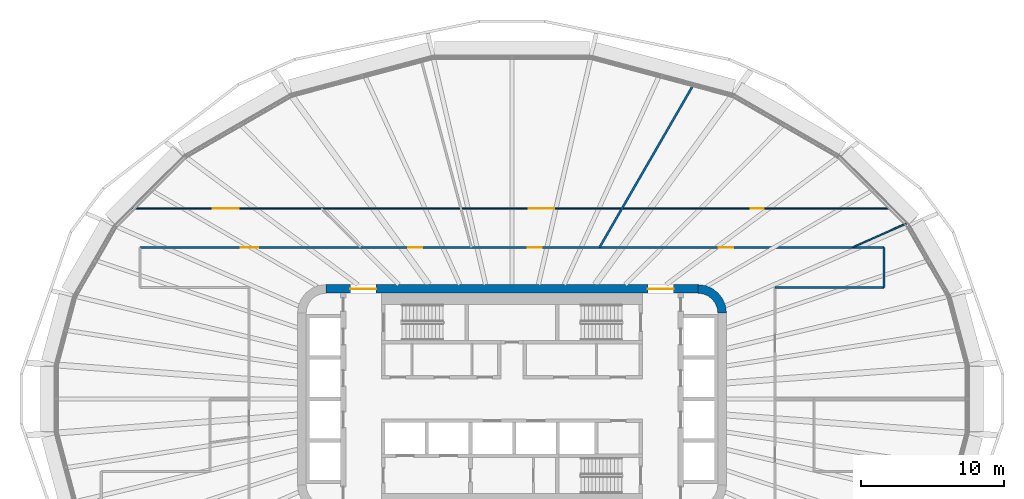
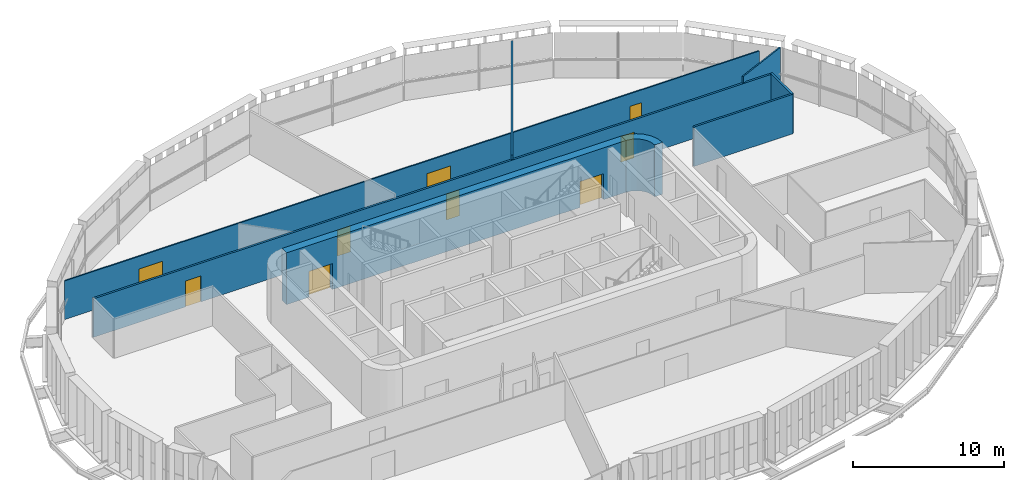
# One storey, part 17 of 25: 9 doors, 8 walls, 9 openings.
"""IFC4 building model written with IfcOpenShell, lengths in metres."""

import ifcopenshell
import ifcopenshell.guid

model = None  # the IFC model being written
_history = None  # IfcOwnerHistory: only IFC2X3 demands one
_inside = {}  # id of a spatial element -> (the spatial element, [elements in it])
_under = {}  # id of a project, library or spatial element -> (it, [spatial elements below it])
_declared = {}  # id of a project -> (the project, [libraries it declares])
_typed = {}  # id of a type object -> (the type object, [elements of that type])
_made_of = {}  # id of a material, layer set ... -> (it, [elements and type objects made of it])


def new_model(schema):
    """Start an empty IFC model of exactly this schema.

    Asked for "IFC4X3", IfcOpenShell would pick the latest addendum, in which some entities
    have other attributes; the version numbers below select the first issue.
    IFC2X3 requires an IfcOwnerHistory on every rooted entity: one is made here for all.
    """
    global model, _history
    if schema == "IFC4X3":
        model = ifcopenshell.file(schema_version=(4, 3, 0, 0))
    else:
        model = ifcopenshell.file(schema=schema)
    _inside.clear()
    _under.clear()
    _declared.clear()
    _typed.clear()
    _made_of.clear()
    _history = None
    if model.schema == "IFC2X3":
        org = make("IfcOrganization", Name="unknown")
        user = make(
            "IfcPersonAndOrganization",
            ThePerson=make("IfcPerson", FamilyName="unknown"),
            TheOrganization=org,
        )
        app = make(
            "IfcApplication",
            ApplicationDeveloper=org,
            Version="unknown",
            ApplicationFullName="unknown",
            ApplicationIdentifier="unknown",
        )
        _history = make(
            "IfcOwnerHistory",
            OwningUser=user,
            OwningApplication=app,
            ChangeAction="ADDED",
            CreationDate=0,
        )
    return model


def make(cls, **values):
    """One entity of the class cls with the attributes given. An attribute that is None is left unset."""
    return model.create_entity(
        cls, **{name: value for name, value in values.items() if value is not None}
    )


def rooted(cls, **values):
    """An entity with a GlobalId (a new one), such as an element, a storey or a relation."""
    return make(cls, GlobalId=ifcopenshell.guid.new(), OwnerHistory=_history, **values)


def si_unit(unit_type, name, prefix=None):
    """IfcSIUnit, for example si_unit("LENGTHUNIT", "METRE", prefix="MILLI")."""
    return make("IfcSIUnit", UnitType=unit_type, Prefix=prefix, Name=name)


def assignment(units):
    """IfcUnitAssignment: the units of a project."""
    return None if units is None else make("IfcUnitAssignment", Units=units)


def point(xyz):
    """IfcCartesianPoint."""
    return None if xyz is None else make("IfcCartesianPoint", Coordinates=xyz)


def direction(xyz):
    """IfcDirection."""
    return None if xyz is None else make("IfcDirection", DirectionRatios=xyz)


def frame(location, z_axis=None, x_axis=None):
    """IfcAxis2Placement3D, a coordinate frame: its origin and axes. An axis left out is left unset."""
    return make(
        "IfcAxis2Placement3D",
        Location=point(location),
        Axis=direction(z_axis),
        RefDirection=direction(x_axis),
    )


def frame_2d(location, x_axis=None):
    """IfcAxis2Placement2D, a coordinate frame in the plane: its origin and x axis."""
    return make(
        "IfcAxis2Placement2D", Location=point(location), RefDirection=direction(x_axis)
    )


def origin():
    """The frame at (0, 0, 0) with its axes left unset."""
    return frame((0.0, 0.0, 0.0))


def place(relative_to, where):
    """IfcLocalPlacement: puts the frame where relative to a parent placement (None: the world)."""
    return make(
        "IfcLocalPlacement", PlacementRelTo=relative_to, RelativePlacement=where
    )


def context(
    kind, dimensions, precision=None, world=None, true_north=None, identifier=None
):
    """IfcGeometricRepresentationContext, for example the 3D "Model" context."""
    return make(
        "IfcGeometricRepresentationContext",
        ContextIdentifier=identifier,
        ContextType=kind,
        CoordinateSpaceDimension=dimensions,
        Precision=precision,
        WorldCoordinateSystem=world,
        TrueNorth=true_north,
    )


def subcontext(parent, identifier, kind, view, scale=None):
    """IfcGeometricRepresentationSubContext, for example "Body" below "Model"."""
    return make(
        "IfcGeometricRepresentationSubContext",
        ContextIdentifier=identifier,
        ContextType=kind,
        ParentContext=parent,
        TargetScale=scale,
        TargetView=view,
    )


def project(units=None, contexts=None):
    """IfcProject with its units and contexts."""
    return rooted(
        "IfcProject",
        Name="project",
        RepresentationContexts=contexts,
        UnitsInContext=assignment(units),
    )


def spatial(cls, under=None, at=None, **own):
    """A site, building, storey or space (cls), placed at a placement, below another one or the project."""
    s = rooted(cls, ObjectPlacement=at, **own)
    if under is not None:
        _under.setdefault(under.id(), (under, []))[1].append(s)
    return s


def polyline(points):
    """IfcPolyline through the points."""
    return make("IfcPolyline", Points=[point(p) for p in points])


def profile(cls, at=None, kind="AREA", **sizes):
    """A parametric profile (cls). Its sizes go by their IFC names, for example OverallWidth=200.0."""
    return make(cls, ProfileType=kind, Position=at, **sizes)


def rectangle(**sizes):
    """IfcRectangleProfileDef."""
    return profile("IfcRectangleProfileDef", **sizes)


def outline(outer, holes=None, kind="AREA"):
    """IfcArbitraryClosedProfileDef: a profile drawn as a closed curve; with holes, ...WithVoids."""
    if holes is None:
        return make("IfcArbitraryClosedProfileDef", ProfileType=kind, OuterCurve=outer)
    return make(
        "IfcArbitraryProfileDefWithVoids",
        ProfileType=kind,
        OuterCurve=outer,
        InnerCurves=holes,
    )


def extrude(swept, where, along, depth):
    """IfcExtrudedAreaSolid: the profile swept, set in the frame where, extruded along a direction by depth."""
    return make(
        "IfcExtrudedAreaSolid",
        SweptArea=swept,
        Position=where,
        ExtrudedDirection=direction(along),
        Depth=depth,
    )


def shape(context_of_items, identifier, shape_type, items):
    """IfcShapeRepresentation: the items that make up one representation, for example the "Body"."""
    return make(
        "IfcShapeRepresentation",
        ContextOfItems=context_of_items,
        RepresentationIdentifier=identifier,
        RepresentationType=shape_type,
        Items=items,
    )


def material(Name=None, Category=None):
    """IfcMaterial."""
    return make("IfcMaterial", Name=Name, Category=Category)


def layer(
    of_material, thickness, ventilated=None, Name=None, Category=None, Priority=None
):
    """IfcMaterialLayer: one layer of a wall or slab, of a material (None: an air gap)."""
    return make(
        "IfcMaterialLayer",
        Material=of_material,
        LayerThickness=thickness,
        IsVentilated=ventilated,
        Name=Name,
        Category=Category,
        Priority=Priority,
    )


def layer_set(layers, Name=None):
    """IfcMaterialLayerSet."""
    return make("IfcMaterialLayerSet", MaterialLayers=layers, LayerSetName=Name)


def made_of(thing, what):
    """Note that an element or type object is made of a material, layer set ...; save() writes the relation."""
    if what is not None:
        _made_of.setdefault(what.id(), (what, []))[1].append(thing)
    return thing


def type_object(cls, material=None, **own):
    """A type object (cls), such as IfcWallType, which elements share."""
    return made_of(rooted(cls, **own), material)


def element(
    cls,
    number,
    at=None,
    inside=None,
    cuts=None,
    type_object=None,
    material=None,
    context=None,
    identifier="Body",
    shape_type=None,
    held_by="IfcProductDefinitionShape",
    body=None,
    shapes=None,
    **own,
):
    """One element of the class cls, such as IfcWall. Its Tag is "e" and its number.

    at: its placement. inside: the storey or other place that contains it. cuts: it is an
    opening in that element (IfcRelVoidsElement). A single representation is given by context,
    identifier, shape_type and body (its items); several are given by shapes. held_by: the class
    of the entity that holds the representations. save() writes the other relations.
    """
    e = rooted(cls, Tag="e%d" % number, ObjectPlacement=at, **own)
    if body is not None:
        shapes = [shape(context, identifier, shape_type, body)]
    if shapes is not None:
        e.Representation = make(held_by, Representations=shapes)
    if inside is not None:
        _inside.setdefault(inside.id(), (inside, []))[1].append(e)
    if cuts is not None:
        rooted(
            "IfcRelVoidsElement", RelatingBuildingElement=cuts, RelatedOpeningElement=e
        )
    if type_object is not None:
        _typed.setdefault(type_object.id(), (type_object, []))[1].append(e)
    return made_of(e, material)


def fill(opening, filler):
    """IfcRelFillsElement: the door or window that sits in an opening."""
    return rooted(
        "IfcRelFillsElement",
        RelatingOpeningElement=opening,
        RelatedBuildingElement=filler,
    )


def aggregate(whole, parts):
    """IfcRelAggregates: a whole, such as a stair, and the parts it consists of."""
    return rooted("IfcRelAggregates", RelatingObject=whole, RelatedObjects=parts)


def save(model, path):
    """Write the relations noted so far, then the file.

    IfcRelAggregates (storeys below a building ...), IfcRelContainedInSpatialStructure (elements
    in a storey), IfcRelDefinesByType, IfcRelAssociatesMaterial and IfcRelDeclares: one each for
    every whole, place, type object, material and project.
    """
    for whole, parts in _under.values():
        aggregate(whole, parts)
    for where, things in _inside.values():
        rooted(
            "IfcRelContainedInSpatialStructure",
            RelatedElements=things,
            RelatingStructure=where,
        )
    for kind, things in _typed.values():
        rooted("IfcRelDefinesByType", RelatedObjects=things, RelatingType=kind)
    for what, things in _made_of.values():
        rooted("IfcRelAssociatesMaterial", RelatedObjects=things, RelatingMaterial=what)
    for by, libraries in _declared.values():
        rooted("IfcRelDeclares", RelatingContext=by, RelatedDefinitions=libraries)
    model.write(path)


model = new_model("IFC4")

# Units and contexts
model_context = context("Model", 3, precision=1e-05, world=origin(), true_north=direction((0.0, 1.0)))
body_context = subcontext(model_context, "Body", "Model", "MODEL_VIEW")
ifc_project = project(units=[si_unit("LENGTHUNIT", "METRE"), si_unit("AREAUNIT", "SQUARE_METRE"), si_unit("VOLUMEUNIT", "CUBIC_METRE"), si_unit("PLANEANGLEUNIT", "RADIAN"), si_unit("MASSUNIT", "GRAM", prefix="KILO")], contexts=[model_context])

# Site, building, storey
site_placement = place(None, origin())
site = spatial("IfcSite", under=ifc_project, at=site_placement, CompositionType="ELEMENT")
building_placement = place(site_placement, origin())
building = spatial("IfcBuilding", under=site, at=building_placement, Name="Sahrelin Media Tower", CompositionType="ELEMENT")
storey_placement = place(building_placement, frame((0.0, 0.0, 110.39990234375)))
storey = spatial("IfcBuildingStorey", under=building, at=storey_placement, Name="L21", CompositionType="ELEMENT", Elevation=110.39990234375)

# Wall, openings, doors
ifc_material_1 = material(Name="Concrete C60/75", Category="concrete")
ifc_layer_1 = layer(ifc_material_1, 0.60009765625)
ifc_layer_set_1 = layer_set([ifc_layer_1], Name="Core wall 600")
wall_type_1 = type_object("IfcWallType", Name="Core wall 600", PredefinedType="SHEAR", material=ifc_layer_set_1)
wall_1_placement = place(storey_placement, frame((-13.0, 7.699951171875, 0.0), z_axis=(0.0, 0.0, 1.0), x_axis=(1.0, 0.0, 0.0)))
wall_1 = element("IfcWall", 1, at=wall_1_placement, inside=storey, type_object=wall_type_1, Name="Core wall N L21", PredefinedType="SHEAR", context=body_context, shape_type="SweptSolid", body=[
    extrude(rectangle(XDim=26.0, YDim=0.60009765625, at=frame_2d((13.0, 0.0))), origin(), (0.0, 0.0, 1.0), 4.2001953125),
])
opening_1_placement = place(wall_1_placement, frame((1.699951171875, 0.0, 0.0)))
opening_1 = element("IfcOpeningElement", 2, at=opening_1_placement, cuts=wall_1, Name="Opening L21-D18", PredefinedType="OPENING", context=body_context, shape_type="SweptSolid", body=[
    extrude(rectangle(XDim=1.800048828125, YDim=2.10009765625, at=frame_2d((0.89990234375, 1.050048828125))), frame((0.0, 0.300048828125, 0.0), z_axis=(0.0, -1.0, 0.0), x_axis=(1.0, 0.0, 0.0)), (0.0, 0.0, 1.0), 0.60009765625),
])
opening_2_placement = place(wall_1_placement, frame((22.5, 0.0, 0.0)))
opening_2 = element("IfcOpeningElement", 3, at=opening_2_placement, cuts=wall_1, Name="Opening L21-D19", PredefinedType="OPENING", context=body_context, shape_type="SweptSolid", body=[
    extrude(rectangle(XDim=1.800048828125, YDim=2.10009765625, at=frame_2d((0.89990234375, 1.050048828125))), frame((0.0, 0.300048828125, 0.0), z_axis=(0.0, -1.0, 0.0), x_axis=(1.0, 0.0, 0.0)), (0.0, 0.0, 1.0), 0.60009765625),
])
ifc_material_2 = material(Name="Steel fire door leaf", Category="steel")
door_type_1 = type_object("IfcDoorType", Name="Lobby double door 1800 x 2100 EI 60", OperationType="DOUBLE_DOOR_SINGLE_SWING", PredefinedType="DOOR", material=ifc_material_2)
door_1_placement = place(opening_1_placement, origin())
door_1 = element("IfcDoor", 4, at=door_1_placement, inside=storey, type_object=door_type_1, Name="Lobby door", OperationType="DOUBLE_DOOR_SINGLE_SWING", OverallHeight=2.10009765625, OverallWidth=1.800048828125, PredefinedType="DOOR", context=body_context, shape_type="SweptSolid", body=[
    extrude(rectangle(XDim=1.800048828125, YDim=2.10009765625, at=frame_2d((0.89990234375, 1.050048828125))), frame((0.0, 0.02490234375, 0.0), z_axis=(0.0, -1.0, 0.0), x_axis=(1.0, 0.0, 0.0)), (0.0, 0.0, 1.0), 0.050048828125),
])
fill(opening_1, door_1)
door_2_placement = place(opening_2_placement, origin())
door_2 = element("IfcDoor", 5, at=door_2_placement, inside=storey, type_object=door_type_1, Name="Lobby door", OperationType="DOUBLE_DOOR_SINGLE_SWING", OverallHeight=2.10009765625, OverallWidth=1.800048828125, PredefinedType="DOOR", context=body_context, shape_type="SweptSolid", body=[
    extrude(rectangle(XDim=1.800048828125, YDim=2.10009765625, at=frame_2d((0.89990234375, 1.050048828125))), frame((0.0, 0.02490234375, 0.0), z_axis=(0.0, -1.0, 0.0), x_axis=(1.0, 0.0, 0.0)), (0.0, 0.0, 1.0), 0.050048828125),
])
fill(opening_2, door_2)

# Walls
wall_2_placement = place(storey_placement, origin())
element("IfcWall", 6, at=wall_2_placement, inside=storey, type_object=wall_type_1, Name="Core wall corner NE L21", PredefinedType="SHEAR", context=body_context, shape_type="SweptSolid", body=[
    extrude(outline(polyline([(13.0, 8.0), (13.0, 7.394775390625), (13.361083984375, 7.347412109375), (13.697509765625, 7.2080078125), (13.986328125, 6.986328125), (14.2080078125, 6.697509765625), (14.347412109375, 6.361083984375), (14.394775390625, 6.0), (15.0, 6.0), (14.931884765625, 6.517578125), (14.732177734375, 7.0), (14.414306640625, 7.414306640625), (14.0, 7.732177734375), (13.517578125, 7.931884765625), (13.0, 8.0)])), origin(), (0.0, 0.0, 1.0), 4.2001953125),
])
ifc_material_3 = material(Name="Fire-rated gypsum board partition")
ifc_layer_2 = layer(ifc_material_3, 0.14990234375)
ifc_layer_set_2 = layer_set([ifc_layer_2], Name="Fire-rated partition 150")
wall_type_2 = type_object("IfcWallType", Name="Fire-rated partition 150", PredefinedType="PARTITIONING", material=ifc_layer_set_2)
wall_3_placement = place(storey_placement, frame((18.39990234375, 7.800048828125, 0.0), z_axis=(0.0, 0.0, 1.0), x_axis=(1.0, 0.0, 0.0)))
element("IfcWall", 7, at=wall_3_placement, inside=storey, type_object=wall_type_2, Name="Wall", PredefinedType="PARTITIONING", context=body_context, shape_type="SweptSolid", body=[
    extrude(rectangle(XDim=7.60009765625, YDim=0.14990234375, at=frame_2d((3.800048828125, 0.0))), origin(), (0.0, 0.0, 1.0), 3.1953125),
])

# Wall, openings, doors
wall_4_placement = place(storey_placement, frame((-26.0, 10.60009765625, 0.0), z_axis=(0.0, 0.0, 1.0), x_axis=(1.0, 0.0, 0.0)))
wall_4 = element("IfcWall", 8, at=wall_4_placement, inside=storey, type_object=wall_type_2, Name="Wall", PredefinedType="PARTITIONING", context=body_context, shape_type="SweptSolid", body=[
    extrude(rectangle(XDim=52.0, YDim=0.14990234375, at=frame_2d((26.0, 0.0))), origin(), (0.0, 0.0, 1.0), 3.127197265625),
])
opening_3_placement = place(wall_4_placement, frame((18.7294921875, 0.0, 0.0)))
opening_3 = element("IfcOpeningElement", 9, at=opening_3_placement, cuts=wall_4, Name="Opening L21-D22", PredefinedType="OPENING", context=body_context, shape_type="SweptSolid", body=[
    extrude(rectangle(XDim=1.0, YDim=2.10009765625, at=frame_2d((0.5, 1.050048828125))), frame((0.0, 0.074951171875, 0.0), z_axis=(0.0, -1.0, 0.0), x_axis=(1.0, 0.0, 0.0)), (0.0, 0.0, 1.0), 0.14990234375),
])
opening_4_placement = place(wall_4_placement, frame((7.049560546875, 0.0, 0.0)))
opening_4 = element("IfcOpeningElement", 10, at=opening_4_placement, cuts=wall_4, Name="Opening L21-D23", PredefinedType="OPENING", context=body_context, shape_type="SweptSolid", body=[
    extrude(rectangle(XDim=1.199951171875, YDim=2.10009765625, at=frame_2d((0.60009765625, 1.050048828125))), frame((0.0, 0.074951171875, 0.0), z_axis=(0.0, -1.0, 0.0), x_axis=(1.0, 0.0, 0.0)), (0.0, 0.0, 1.0), 0.14990234375),
])
opening_5_placement = place(wall_4_placement, frame((40.464111328125, 0.0, 0.0)))
opening_5 = element("IfcOpeningElement", 11, at=opening_5_placement, cuts=wall_4, Name="Opening L21-D36", PredefinedType="OPENING", context=body_context, shape_type="SweptSolid", body=[
    extrude(rectangle(XDim=1.0, YDim=2.10009765625, at=frame_2d((0.5, 1.050048828125))), frame((0.0, 0.074951171875, 0.0), z_axis=(0.0, -1.0, 0.0), x_axis=(1.0, 0.0, 0.0)), (0.0, 0.0, 1.0), 0.14990234375),
])
opening_6_placement = place(wall_4_placement, frame((27.089599609375, 0.0, 0.0)))
opening_6 = element("IfcOpeningElement", 12, at=opening_6_placement, cuts=wall_4, Name="Opening L21-D38", PredefinedType="OPENING", context=body_context, shape_type="SweptSolid", body=[
    extrude(rectangle(XDim=1.0, YDim=2.10009765625, at=frame_2d((0.5, 1.050048828125))), frame((0.0, 0.074951171875, 0.0), z_axis=(0.0, -1.0, 0.0), x_axis=(1.0, 0.0, 0.0)), (0.0, 0.0, 1.0), 0.14990234375),
])
door_type_2 = type_object("IfcDoorType", Name="Fire door 1000 x 2100 EI 60", OperationType="NOTDEFINED", PredefinedType="DOOR", material=ifc_material_2)
door_3_placement = place(opening_3_placement, origin())
door_3 = element("IfcDoor", 13, at=door_3_placement, inside=storey, type_object=door_type_2, Name="Fire door", OperationType="SINGLE_SWING_RIGHT", OverallHeight=2.10009765625, OverallWidth=1.0, PredefinedType="DOOR", context=body_context, shape_type="SweptSolid", body=[
    extrude(rectangle(XDim=1.0, YDim=2.10009765625, at=frame_2d((0.5, 1.050048828125))), frame((0.0, 0.02490234375, 0.0), z_axis=(0.0, -1.0, 0.0), x_axis=(1.0, 0.0, 0.0)), (0.0, 0.0, 1.0), 0.050048828125),
])
fill(opening_3, door_3)
door_4_placement = place(opening_5_placement, origin())
door_4 = element("IfcDoor", 14, at=door_4_placement, inside=storey, type_object=door_type_2, Name="Fire door", OperationType="SINGLE_SWING_LEFT", OverallHeight=2.10009765625, OverallWidth=1.0, PredefinedType="DOOR", context=body_context, shape_type="SweptSolid", body=[
    extrude(rectangle(XDim=1.0, YDim=2.10009765625, at=frame_2d((0.5, 1.050048828125))), frame((0.0, 0.02490234375, 0.0), z_axis=(0.0, -1.0, 0.0), x_axis=(1.0, 0.0, 0.0)), (0.0, 0.0, 1.0), 0.050048828125),
])
fill(opening_5, door_4)
door_5_placement = place(opening_6_placement, origin())
door_5 = element("IfcDoor", 15, at=door_5_placement, inside=storey, type_object=door_type_2, Name="Fire door", OperationType="SINGLE_SWING_LEFT", OverallHeight=2.10009765625, OverallWidth=1.0, PredefinedType="DOOR", context=body_context, shape_type="SweptSolid", body=[
    extrude(rectangle(XDim=1.0, YDim=2.10009765625, at=frame_2d((0.5, 1.050048828125))), frame((0.0, 0.02490234375, 0.0), z_axis=(0.0, -1.0, 0.0), x_axis=(1.0, 0.0, 0.0)), (0.0, 0.0, 1.0), 0.050048828125),
])
fill(opening_6, door_5)
door_type_3 = type_object("IfcDoorType", Name="Service double door 1200 x 2100 EI 60", OperationType="DOUBLE_DOOR_SINGLE_SWING", PredefinedType="DOOR", material=ifc_material_2)
door_6_placement = place(opening_4_placement, origin())
door_6 = element("IfcDoor", 16, at=door_6_placement, inside=storey, type_object=door_type_3, Name="Service double door", OperationType="DOUBLE_DOOR_SINGLE_SWING", OverallHeight=2.10009765625, OverallWidth=1.199951171875, PredefinedType="DOOR", context=body_context, shape_type="SweptSolid", body=[
    extrude(rectangle(XDim=1.199951171875, YDim=2.10009765625, at=frame_2d((0.60009765625, 1.050048828125))), frame((0.0, 0.02490234375, 0.0), z_axis=(0.0, -1.0, 0.0), x_axis=(1.0, 0.0, 0.0)), (0.0, 0.0, 1.0), 0.050048828125),
])
fill(opening_4, door_6)

# Walls
wall_5_placement = place(storey_placement, frame((6.1201171875, 10.60009765625, 0.0), z_axis=(0.0, 0.0, 1.0), x_axis=(0.499951080785, 0.866053645464, 0.0)))
element("IfcWall", 17, at=wall_5_placement, inside=storey, type_object=wall_type_2, Name="Wall", PredefinedType="PARTITIONING", context=body_context, shape_type="SweptSolid", body=[
    extrude(rectangle(XDim=13.218505859375, YDim=0.14990234375, at=frame_2d((6.609375, 0.0))), origin(), (0.0, 0.0, 1.0), 3.501708984375),
])
wall_6_placement = place(storey_placement, frame((26.0, 7.800048828125, 0.0), z_axis=(0.0, 0.0, 1.0), x_axis=(0.0, 1.0, 0.0)))
element("IfcWall", 18, at=wall_6_placement, inside=storey, type_object=wall_type_2, Name="Wall", PredefinedType="PARTITIONING", context=body_context, shape_type="SweptSolid", body=[
    extrude(rectangle(XDim=2.800048828125, YDim=0.14990234375, at=frame_2d((1.39990234375, 0.0))), origin(), (0.0, 0.0, 1.0), 3.1953125),
])

# Wall, openings, doors
ifc_material_4 = material(Name="Gypsum board partition")
ifc_layer_3 = layer(ifc_material_4, 0.10009765625)
ifc_layer_set_3 = layer_set([ifc_layer_3], Name="Partition 100")
wall_type_3 = type_object("IfcWallType", Name="Partition 100", PredefinedType="PARTITIONING", material=ifc_layer_set_3)
wall_7_placement = place(storey_placement, frame((-26.62109375, 13.320068359375, 0.0), z_axis=(0.0, 0.0, 1.0), x_axis=(1.0, 0.0, 0.0)))
wall_7 = element("IfcWall", 19, at=wall_7_placement, inside=storey, type_object=wall_type_3, Name="Wall", PredefinedType="PARTITIONING", context=body_context, shape_type="SweptSolid", body=[
    extrude(rectangle(XDim=53.2421875, YDim=0.10009765625, at=frame_2d((26.62109375, 0.0))), origin(), (0.0, 0.0, 1.0), 3.127197265625),
])
opening_7_placement = place(wall_7_placement, frame((5.700439453125, 0.0, 0.0)))
opening_7 = element("IfcOpeningElement", 20, at=opening_7_placement, cuts=wall_7, Name="Opening L21-D24", PredefinedType="OPENING", context=body_context, shape_type="SweptSolid", body=[
    extrude(rectangle(XDim=1.800048828125, YDim=2.10009765625, at=frame_2d((0.89990234375, 1.050048828125))), frame((0.0, 0.050048828125, 0.0), z_axis=(0.0, -1.0, 0.0), x_axis=(1.0, 0.0, 0.0)), (0.0, 0.0, 1.0), 0.10009765625),
])
opening_8_placement = place(wall_7_placement, frame((43.326416015625, 0.0, 0.0)))
opening_8 = element("IfcOpeningElement", 21, at=opening_8_placement, cuts=wall_7, Name="Opening L21-D37", PredefinedType="OPENING", context=body_context, shape_type="SweptSolid", body=[
    extrude(rectangle(XDim=0.89990234375, YDim=2.10009765625, at=frame_2d((0.449951171875, 1.050048828125))), frame((0.0, 0.050048828125, 0.0), z_axis=(0.0, -1.0, 0.0), x_axis=(1.0, 0.0, 0.0)), (0.0, 0.0, 1.0), 0.10009765625),
])
opening_9_placement = place(wall_7_placement, frame((27.781494140625, 0.0, 0.0)))
opening_9 = element("IfcOpeningElement", 22, at=opening_9_placement, cuts=wall_7, Name="Opening L21-D39", PredefinedType="OPENING", context=body_context, shape_type="SweptSolid", body=[
    extrude(rectangle(XDim=1.800048828125, YDim=2.10009765625, at=frame_2d((0.89990234375, 1.050048828125))), frame((0.0, 0.050048828125, 0.0), z_axis=(0.0, -1.0, 0.0), x_axis=(1.0, 0.0, 0.0)), (0.0, 0.0, 1.0), 0.10009765625),
])
ifc_material_5 = material(Name="Timber door leaf", Category="wood")
door_type_4 = type_object("IfcDoorType", Name="Double door 1800 x 2100", OperationType="DOUBLE_DOOR_SINGLE_SWING", PredefinedType="DOOR", material=ifc_material_5)
door_7_placement = place(opening_7_placement, origin())
door_7 = element("IfcDoor", 23, at=door_7_placement, inside=storey, type_object=door_type_4, Name="Double door", OperationType="DOUBLE_DOOR_SINGLE_SWING", OverallHeight=2.10009765625, OverallWidth=1.800048828125, PredefinedType="DOOR", context=body_context, shape_type="SweptSolid", body=[
    extrude(rectangle(XDim=1.800048828125, YDim=2.10009765625, at=frame_2d((0.89990234375, 1.050048828125))), frame((0.0, 0.02490234375, 0.0), z_axis=(0.0, -1.0, 0.0), x_axis=(1.0, 0.0, 0.0)), (0.0, 0.0, 1.0), 0.050048828125),
])
fill(opening_7, door_7)
door_8_placement = place(opening_9_placement, origin())
door_8 = element("IfcDoor", 24, at=door_8_placement, inside=storey, type_object=door_type_4, Name="Double door", OperationType="DOUBLE_DOOR_SINGLE_SWING", OverallHeight=2.10009765625, OverallWidth=1.800048828125, PredefinedType="DOOR", context=body_context, shape_type="SweptSolid", body=[
    extrude(rectangle(XDim=1.800048828125, YDim=2.10009765625, at=frame_2d((0.89990234375, 1.050048828125))), frame((0.0, 0.02490234375, 0.0), z_axis=(0.0, -1.0, 0.0), x_axis=(1.0, 0.0, 0.0)), (0.0, 0.0, 1.0), 0.050048828125),
])
fill(opening_9, door_8)
door_type_5 = type_object("IfcDoorType", Name="Single door 900 x 2100", OperationType="NOTDEFINED", PredefinedType="DOOR", material=ifc_material_5)
door_9_placement = place(opening_8_placement, origin())
door_9 = element("IfcDoor", 25, at=door_9_placement, inside=storey, type_object=door_type_5, Name="Single door", OperationType="SINGLE_SWING_RIGHT", OverallHeight=2.10009765625, OverallWidth=0.89990234375, PredefinedType="DOOR", context=body_context, shape_type="SweptSolid", body=[
    extrude(rectangle(XDim=0.89990234375, YDim=2.10009765625, at=frame_2d((0.449951171875, 1.050048828125))), frame((0.0, 0.02490234375, 0.0), z_axis=(0.0, -1.0, 0.0), x_axis=(1.0, 0.0, 0.0)), (0.0, 0.0, 1.0), 0.050048828125),
])
fill(opening_8, door_9)

# Wall
wall_8_placement = place(storey_placement, frame((23.80810546875, 10.60009765625, 0.0), z_axis=(0.0, 0.0, 1.0), x_axis=(0.913496537011, 0.406846502835, 0.0)))
element("IfcWall", 26, at=wall_8_placement, inside=storey, type_object=wall_type_3, Name="Wall", PredefinedType="PARTITIONING", context=body_context, shape_type="SweptSolid", body=[
    extrude(rectangle(XDim=4.1904296875, YDim=0.10009765625, at=frame_2d((2.09521484375, 0.0))), origin(), (0.0, 0.0, 1.0), 3.675048828125),
])

save(model, "model.ifc")
